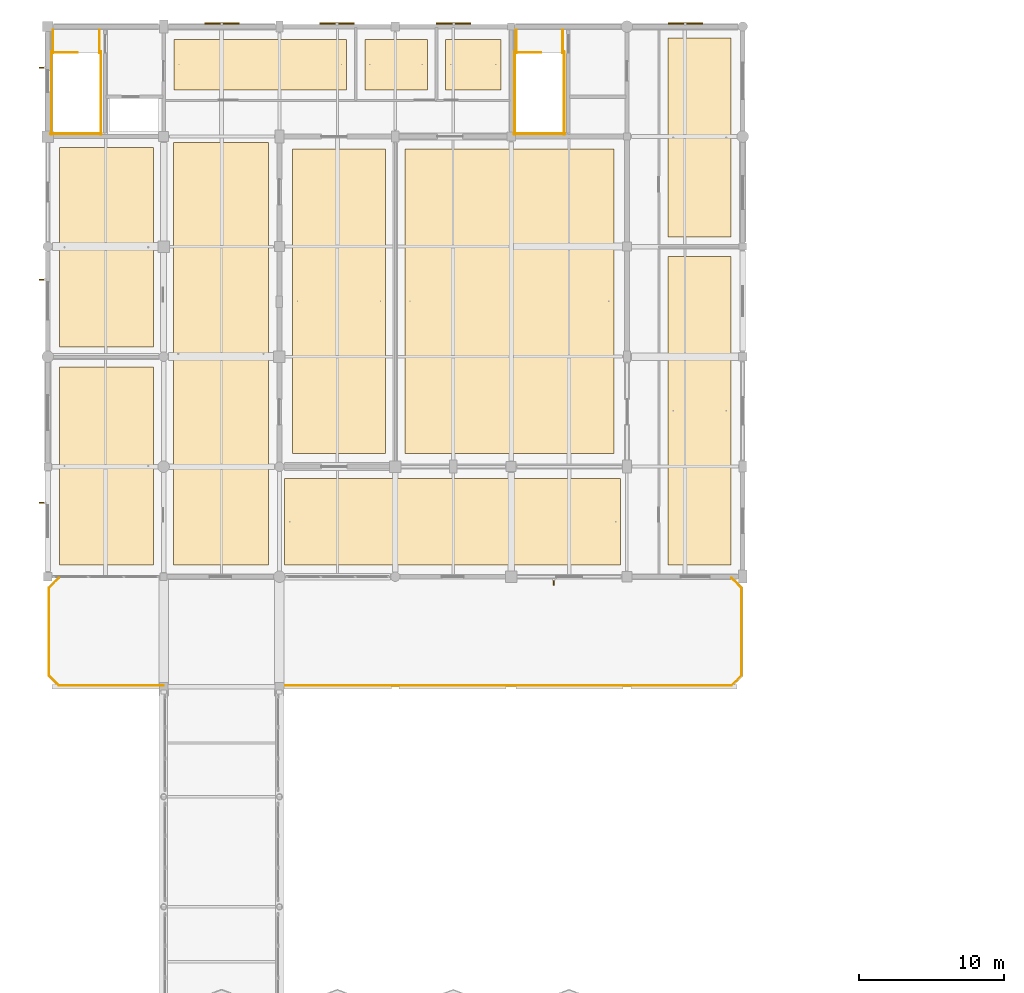
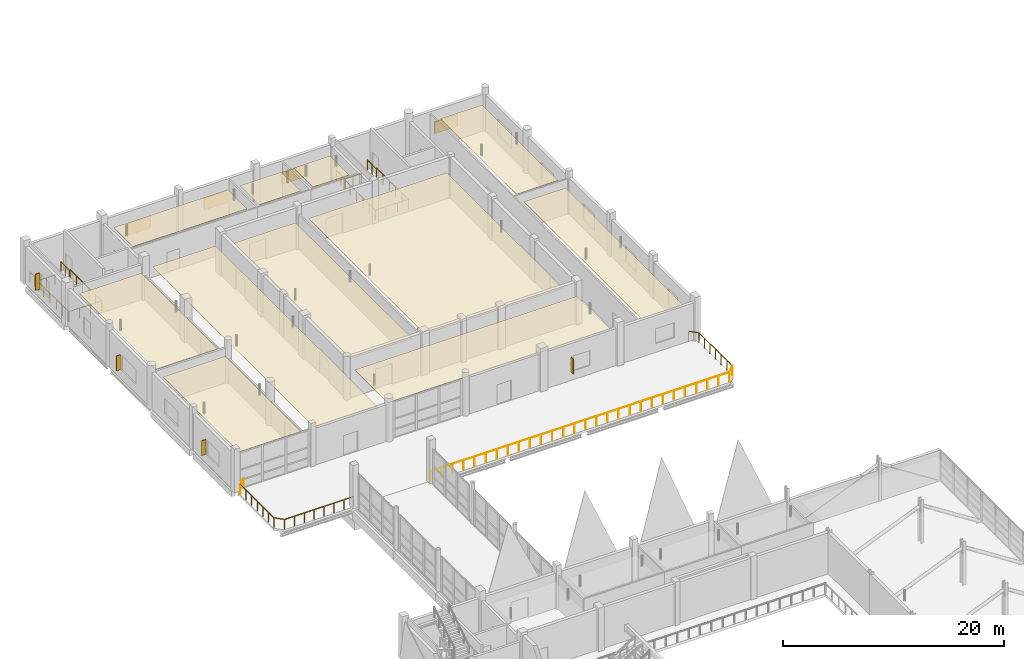
# One storey, part 135 of 141: 20 railings, 11 coverings, 8 shading devices.
"""IFC4 building model written with IfcOpenShell, lengths in metres."""

from ifc_helpers import new_model, si_unit, direction, frame, origin, origin_2d, place, context, subcontext, project, spatial, polyline, rectangle, circle, outline, extrude, material, layer, layer_set, type_object, element, save


model = new_model("IFC4")

# Units and contexts
model_context = context("Model", 3, precision=1e-05, world=origin(), true_north=direction((0.0, 1.0)))
body_context = subcontext(model_context, "Body", "Model", "MODEL_VIEW")
ifc_project = project(units=[si_unit("LENGTHUNIT", "METRE"), si_unit("AREAUNIT", "SQUARE_METRE"), si_unit("VOLUMEUNIT", "CUBIC_METRE"), si_unit("PLANEANGLEUNIT", "RADIAN"), si_unit("MASSUNIT", "GRAM", prefix="KILO")], contexts=[model_context])

# Site, building, storey
site_placement = place(None, origin())
site = spatial("IfcSite", under=ifc_project, at=site_placement, CompositionType="ELEMENT")
building_placement = place(site_placement, origin())
building = spatial("IfcBuilding", under=site, at=building_placement, Name="Khelvaren Railside Concert Hall", CompositionType="ELEMENT")
storey_placement = place(building_placement, frame((0.0, 0.0, 10.199951171875)))
storey = spatial("IfcBuildingStorey", under=building, at=storey_placement, Name="L02", CompositionType="ELEMENT", Elevation=10.199951171875)

# Railings
ifc_material_1 = material(Name="Architectural stainless steel Grade 316", Category="steel")
railing_type_1 = type_object("IfcRailingType", Name="BAL77", PredefinedType="BALUSTRADE", material=ifc_material_1)
railing_1_placement = place(storey_placement, frame((47.219970703125, 68.47998046875, 0.0)))
element("IfcRailing", 1, at=railing_1_placement, inside=storey, type_object=railing_type_1, Name="Terrace Perimeter Balustrade V4-L02-SE", PredefinedType="BALUSTRADE", context=body_context, shape_type="SweptSolid", body=[
    extrude(circle(Radius=0.02392578125, at=origin_2d()), frame((0.0, 0.0, 1.076171875), z_axis=(0.707106781187, 0.707106781187, 0.0), x_axis=(-0.707106781187, 0.707106781187, 0.0)), (0.0, 0.0, 1.0), 0.989990234375),
    extrude(circle(Radius=0.02099609375, at=origin_2d()), origin(), (0.0, 0.0, 1.0), 1.052001953125),
    extrude(circle(Radius=0.02099609375, at=origin_2d()), frame((0.699951171875, 0.699951171875, 0.0)), (0.0, 0.0, 1.0), 1.052001953125),
])
railing_2_placement = place(storey_placement, frame((47.919921875, 69.179931640625, 0.0)))
element("IfcRailing", 2, at=railing_2_placement, inside=storey, type_object=railing_type_1, Name="Terrace Perimeter Balustrade V4-L02-E", PredefinedType="BALUSTRADE", context=body_context, shape_type="SweptSolid", body=[
    extrude(circle(Radius=0.02392578125, at=origin_2d()), frame((0.0, 0.0, 1.076171875), z_axis=(0.0, 1.0, 0.0), x_axis=(-1.0, 0.0, 0.0)), (0.0, 0.0, 1.0), 6.0400390625),
    extrude(circle(Radius=0.02099609375, at=origin_2d()), origin(), (0.0, 0.0, 1.0), 1.052001953125),
    extrude(circle(Radius=0.02099609375, at=origin_2d()), frame((0.0, 1.006591796875, 0.0)), (0.0, 0.0, 1.0), 1.052001953125),
    extrude(circle(Radius=0.02099609375, at=origin_2d()), frame((0.0, 2.013427734375, 0.0)), (0.0, 0.0, 1.0), 1.052001953125),
    extrude(circle(Radius=0.02099609375, at=origin_2d()), frame((0.0, 3.02001953125, 0.0)), (0.0, 0.0, 1.0), 1.052001953125),
    extrude(circle(Radius=0.02099609375, at=origin_2d()), frame((0.0, 4.026611328125, 0.0)), (0.0, 0.0, 1.0), 1.052001953125),
    extrude(circle(Radius=0.02099609375, at=origin_2d()), frame((0.0, 5.033447265625, 0.0)), (0.0, 0.0, 1.0), 1.052001953125),
    extrude(circle(Radius=0.02099609375, at=origin_2d()), frame((0.0, 6.0400390625, 0.0)), (0.0, 0.0, 1.0), 1.052001953125),
])
railing_3_placement = place(storey_placement, frame((47.919921875, 75.219970703125, 0.0)))
element("IfcRailing", 3, at=railing_3_placement, inside=storey, type_object=railing_type_1, Name="Terrace Perimeter Balustrade V4-L02-NE", PredefinedType="BALUSTRADE", context=body_context, shape_type="SweptSolid", body=[
    extrude(circle(Radius=0.02392578125, at=origin_2d()), frame((0.0, 0.0, 1.076171875), z_axis=(-0.707106781187, 0.707106781187, 0.0), x_axis=(-0.707106781187, -0.707106781187, 0.0)), (0.0, 0.0, 1.0), 0.989990234375),
    extrude(circle(Radius=0.02099609375, at=origin_2d()), origin(), (0.0, 0.0, 1.0), 1.052001953125),
    extrude(circle(Radius=0.02099609375, at=origin_2d()), frame((-0.699951171875, 0.699951171875, 0.0)), (0.0, 0.0, 1.0), 1.052001953125),
])
railing_4_placement = place(storey_placement, frame((0.780029296875, 75.919921875, 0.0)))
element("IfcRailing", 4, at=railing_4_placement, inside=storey, type_object=railing_type_1, Name="Terrace Perimeter Balustrade V4-L02-NW", PredefinedType="BALUSTRADE", context=body_context, shape_type="SweptSolid", body=[
    extrude(circle(Radius=0.02392578125, at=origin_2d()), frame((0.0, 0.0, 1.076171875), z_axis=(-0.707106781187, -0.707106781187, 0.0), x_axis=(0.707106781187, -0.707106781187, 0.0)), (0.0, 0.0, 1.0), 0.989990234375),
    extrude(circle(Radius=0.02099609375, at=origin_2d()), origin(), (0.0, 0.0, 1.0), 1.052001953125),
    extrude(circle(Radius=0.02099609375, at=origin_2d()), frame((-0.699951171875, -0.699951171875, 0.0)), (0.0, 0.0, 1.0), 1.052001953125),
])
railing_5_placement = place(storey_placement, frame((0.080078125, 75.219970703125, 0.0)))
element("IfcRailing", 5, at=railing_5_placement, inside=storey, type_object=railing_type_1, Name="Terrace Perimeter Balustrade V4-L02-W", PredefinedType="BALUSTRADE", context=body_context, shape_type="SweptSolid", body=[
    extrude(circle(Radius=0.02392578125, at=origin_2d()), frame((0.0, 0.0, 1.076171875), z_axis=(0.0, -1.0, 0.0), x_axis=(1.0, 0.0, 0.0)), (0.0, 0.0, 1.0), 6.0400390625),
    extrude(circle(Radius=0.02099609375, at=origin_2d()), origin(), (0.0, 0.0, 1.0), 1.052001953125),
    extrude(circle(Radius=0.02099609375, at=origin_2d()), frame((0.0, -1.006591796875, 0.0)), (0.0, 0.0, 1.0), 1.052001953125),
    extrude(circle(Radius=0.02099609375, at=origin_2d()), frame((0.0, -2.013427734375, 0.0)), (0.0, 0.0, 1.0), 1.052001953125),
    extrude(circle(Radius=0.02099609375, at=origin_2d()), frame((0.0, -3.02001953125, 0.0)), (0.0, 0.0, 1.0), 1.052001953125),
    extrude(circle(Radius=0.02099609375, at=origin_2d()), frame((0.0, -4.026611328125, 0.0)), (0.0, 0.0, 1.0), 1.052001953125),
    extrude(circle(Radius=0.02099609375, at=origin_2d()), frame((0.0, -5.033447265625, 0.0)), (0.0, 0.0, 1.0), 1.052001953125),
    extrude(circle(Radius=0.02099609375, at=origin_2d()), frame((0.0, -6.0400390625, 0.0)), (0.0, 0.0, 1.0), 1.052001953125),
])
railing_6_placement = place(storey_placement, frame((0.080078125, 69.179931640625, 0.0)))
element("IfcRailing", 6, at=railing_6_placement, inside=storey, type_object=railing_type_1, Name="Terrace Perimeter Balustrade V4-L02-SW", PredefinedType="BALUSTRADE", context=body_context, shape_type="SweptSolid", body=[
    extrude(circle(Radius=0.02392578125, at=origin_2d()), frame((0.0, 0.0, 1.076171875), z_axis=(0.707106781187, -0.707106781187, 0.0), x_axis=(0.707106781187, 0.707106781187, 0.0)), (0.0, 0.0, 1.0), 0.989990234375),
    extrude(circle(Radius=0.02099609375, at=origin_2d()), origin(), (0.0, 0.0, 1.0), 1.052001953125),
    extrude(circle(Radius=0.02099609375, at=origin_2d()), frame((0.699951171875, -0.699951171875, 0.0)), (0.0, 0.0, 1.0), 1.052001953125),
])
railing_7_placement = place(storey_placement, frame((0.780029296875, 68.47998046875, 0.0)))
element("IfcRailing", 7, at=railing_7_placement, inside=storey, type_object=railing_type_1, Name="Terrace Perimeter Balustrade V4-L02-S1", PredefinedType="BALUSTRADE", context=body_context, shape_type="SweptSolid", body=[
    extrude(circle(Radius=0.02392578125, at=origin_2d()), frame((0.0, 0.0, 1.076171875), z_axis=(1.0, 0.0, 0.0), x_axis=(0.0, 1.0, 0.0)), (0.0, 0.0, 1.0), 7.219970703125),
    extrude(circle(Radius=0.02099609375, at=origin_2d()), origin(), (0.0, 0.0, 1.0), 1.052001953125),
    extrude(circle(Radius=0.02099609375, at=origin_2d()), frame((1.031494140625, 0.0, 0.0)), (0.0, 0.0, 1.0), 1.052001953125),
    extrude(circle(Radius=0.02099609375, at=origin_2d()), frame((2.062744140625, 0.0, 0.0)), (0.0, 0.0, 1.0), 1.052001953125),
    extrude(circle(Radius=0.02099609375, at=origin_2d()), frame((3.09423828125, 0.0, 0.0)), (0.0, 0.0, 1.0), 1.052001953125),
    extrude(circle(Radius=0.02099609375, at=origin_2d()), frame((4.125732421875, 0.0, 0.0)), (0.0, 0.0, 1.0), 1.052001953125),
    extrude(circle(Radius=0.02099609375, at=origin_2d()), frame((5.1572265625, 0.0, 0.0)), (0.0, 0.0, 1.0), 1.052001953125),
    extrude(circle(Radius=0.02099609375, at=origin_2d()), frame((6.1884765625, 0.0, 0.0)), (0.0, 0.0, 1.0), 1.052001953125),
    extrude(circle(Radius=0.02099609375, at=origin_2d()), frame((7.219970703125, 0.0, 0.0)), (0.0, 0.0, 1.0), 1.052001953125),
])
railing_8_placement = place(storey_placement, frame((16.0, 68.47998046875, 0.0)))
element("IfcRailing", 8, at=railing_8_placement, inside=storey, type_object=railing_type_1, Name="Terrace Perimeter Balustrade V4-L02-S2", PredefinedType="BALUSTRADE", context=body_context, shape_type="SweptSolid", body=[
    extrude(circle(Radius=0.02392578125, at=origin_2d()), frame((0.0, 0.0, 1.076171875), z_axis=(1.0, 0.0, 0.0), x_axis=(0.0, 1.0, 0.0)), (0.0, 0.0, 1.0), 31.219970703125),
    extrude(circle(Radius=0.02099609375, at=origin_2d()), origin(), (0.0, 0.0, 1.0), 1.052001953125),
    extrude(circle(Radius=0.02099609375, at=origin_2d()), frame((1.15625, 0.0, 0.0)), (0.0, 0.0, 1.0), 1.052001953125),
    extrude(circle(Radius=0.02099609375, at=origin_2d()), frame((2.3125, 0.0, 0.0)), (0.0, 0.0, 1.0), 1.052001953125),
    extrude(circle(Radius=0.02099609375, at=origin_2d()), frame((3.468994140625, 0.0, 0.0)), (0.0, 0.0, 1.0), 1.052001953125),
    extrude(circle(Radius=0.02099609375, at=origin_2d()), frame((4.625244140625, 0.0, 0.0)), (0.0, 0.0, 1.0), 1.052001953125),
    extrude(circle(Radius=0.02099609375, at=origin_2d()), frame((5.781494140625, 0.0, 0.0)), (0.0, 0.0, 1.0), 1.052001953125),
    extrude(circle(Radius=0.02099609375, at=origin_2d()), frame((6.937744140625, 0.0, 0.0)), (0.0, 0.0, 1.0), 1.052001953125),
    extrude(circle(Radius=0.02099609375, at=origin_2d()), frame((8.093994140625, 0.0, 0.0)), (0.0, 0.0, 1.0), 1.052001953125),
    extrude(circle(Radius=0.02099609375, at=origin_2d()), frame((9.250244140625, 0.0, 0.0)), (0.0, 0.0, 1.0), 1.052001953125),
    extrude(circle(Radius=0.02099609375, at=origin_2d()), frame((10.40673828125, 0.0, 0.0)), (0.0, 0.0, 1.0), 1.052001953125),
    extrude(circle(Radius=0.02099609375, at=origin_2d()), frame((11.56298828125, 0.0, 0.0)), (0.0, 0.0, 1.0), 1.052001953125),
    extrude(circle(Radius=0.02099609375, at=origin_2d()), frame((12.71923828125, 0.0, 0.0)), (0.0, 0.0, 1.0), 1.052001953125),
    extrude(circle(Radius=0.02099609375, at=origin_2d()), frame((13.87548828125, 0.0, 0.0)), (0.0, 0.0, 1.0), 1.052001953125),
    extrude(circle(Radius=0.02099609375, at=origin_2d()), frame((15.03173828125, 0.0, 0.0)), (0.0, 0.0, 1.0), 1.052001953125),
    extrude(circle(Radius=0.02099609375, at=origin_2d()), frame((16.188232421875, 0.0, 0.0)), (0.0, 0.0, 1.0), 1.052001953125),
    extrude(circle(Radius=0.02099609375, at=origin_2d()), frame((17.344482421875, 0.0, 0.0)), (0.0, 0.0, 1.0), 1.052001953125),
    extrude(circle(Radius=0.02099609375, at=origin_2d()), frame((18.500732421875, 0.0, 0.0)), (0.0, 0.0, 1.0), 1.052001953125),
    extrude(circle(Radius=0.02099609375, at=origin_2d()), frame((19.656982421875, 0.0, 0.0)), (0.0, 0.0, 1.0), 1.052001953125),
    extrude(circle(Radius=0.02099609375, at=origin_2d()), frame((20.813232421875, 0.0, 0.0)), (0.0, 0.0, 1.0), 1.052001953125),
    extrude(circle(Radius=0.02099609375, at=origin_2d()), frame((21.9697265625, 0.0, 0.0)), (0.0, 0.0, 1.0), 1.052001953125),
    extrude(circle(Radius=0.02099609375, at=origin_2d()), frame((23.1259765625, 0.0, 0.0)), (0.0, 0.0, 1.0), 1.052001953125),
    extrude(circle(Radius=0.02099609375, at=origin_2d()), frame((24.2822265625, 0.0, 0.0)), (0.0, 0.0, 1.0), 1.052001953125),
    extrude(circle(Radius=0.02099609375, at=origin_2d()), frame((25.4384765625, 0.0, 0.0)), (0.0, 0.0, 1.0), 1.052001953125),
    extrude(circle(Radius=0.02099609375, at=origin_2d()), frame((26.5947265625, 0.0, 0.0)), (0.0, 0.0, 1.0), 1.052001953125),
    extrude(circle(Radius=0.02099609375, at=origin_2d()), frame((27.7509765625, 0.0, 0.0)), (0.0, 0.0, 1.0), 1.052001953125),
    extrude(circle(Radius=0.02099609375, at=origin_2d()), frame((28.907470703125, 0.0, 0.0)), (0.0, 0.0, 1.0), 1.052001953125),
    extrude(circle(Radius=0.02099609375, at=origin_2d()), frame((30.063720703125, 0.0, 0.0)), (0.0, 0.0, 1.0), 1.052001953125),
    extrude(circle(Radius=0.02099609375, at=origin_2d()), frame((31.219970703125, 0.0, 0.0)), (0.0, 0.0, 1.0), 1.052001953125),
])

# Coverings
ifc_material_2 = material(Name="Mineral-wool acoustic baffle ceiling", Category="gypsum")
ifc_layer_1 = layer(ifc_material_2, 0.0400390625)
ifc_layer_set_1 = layer_set([ifc_layer_1], Name="Mineral-wool acoustic baffle ceiling")
covering_type_1 = type_object("IfcCoveringType", Name="CLG20", PredefinedType="CEILING", material=ifc_layer_set_1)
covering_1_placement = place(storey_placement, frame((0.0, 0.0, 3.41015625)))
element("IfcCovering", 9, at=covering_1_placement, inside=storey, type_object=covering_type_1, Name="Suspended Acoustic Ceiling Chamber Pavilion L02 West Foyer", PredefinedType="CEILING", context=body_context, shape_type="SweptSolid", body=[
    extrude(outline(polyline([(8.669921875, 76.800048828125), (15.25, 76.800048828125), (15.25, 106.0), (8.669921875, 106.0), (8.669921875, 76.800048828125)])), origin(), (0.0, 0.0, 1.0), 0.039794921875),
])
covering_2_placement = place(storey_placement, frame((0.0, 0.0, 3.41015625)))
element("IfcCovering", 10, at=covering_2_placement, inside=storey, type_object=covering_type_1, Name="Suspended Acoustic Ceiling Pavilion Public WC L02", PredefinedType="CEILING", context=body_context, shape_type="SweptSolid", body=[
    extrude(outline(polyline([(21.89794921875, 109.6298828125), (26.218017578125, 109.6298828125), (26.218017578125, 113.1201171875), (21.89794921875, 113.1201171875), (21.89794921875, 109.6298828125)])), origin(), (0.0, 0.0, 1.0), 0.039794921875),
])
covering_3_placement = place(storey_placement, frame((0.0, 0.0, 3.41015625)))
element("IfcCovering", 11, at=covering_3_placement, inside=storey, type_object=covering_type_1, Name="Suspended Acoustic Ceiling String Quartet Practice Room L02", PredefinedType="CEILING", context=body_context, shape_type="SweptSolid", body=[
    extrude(outline(polyline([(0.800048828125, 76.800048828125), (7.300048828125, 76.800048828125), (7.300048828125, 90.5), (0.800048828125, 90.5), (0.800048828125, 76.800048828125)])), origin(), (0.0, 0.0, 1.0), 0.039794921875),
])
covering_4_placement = place(storey_placement, frame((0.0, 0.0, 3.41015625)))
element("IfcCovering", 12, at=covering_4_placement, inside=storey, type_object=covering_type_1, Name="Suspended Acoustic Ceiling Harpsichord and Fortepiano Room L02", PredefinedType="CEILING", context=body_context, shape_type="SweptSolid", body=[
    extrude(outline(polyline([(42.85009765625, 76.800048828125), (47.199951171875, 76.800048828125), (47.199951171875, 98.10009765625), (42.85009765625, 98.10009765625), (42.85009765625, 76.800048828125)])), origin(), (0.0, 0.0, 1.0), 0.039794921875),
])
covering_5_placement = place(storey_placement, frame((0.0, 0.0, 3.41015625)))
element("IfcCovering", 13, at=covering_5_placement, inside=storey, type_object=covering_type_1, Name="Suspended Acoustic Ceiling Chamber L02 South Loggia Foyer", PredefinedType="CEILING", context=body_context, shape_type="SweptSolid", body=[
    extrude(outline(polyline([(16.35009765625, 76.800048828125), (39.570068359375, 76.800048828125), (39.570068359375, 82.800048828125), (16.35009765625, 82.800048828125), (16.35009765625, 76.800048828125)])), origin(), (0.0, 0.0, 1.0), 0.039794921875),
])
covering_6_placement = place(storey_placement, frame((0.0, 0.0, 3.41015625)))
element("IfcCovering", 14, at=covering_6_placement, inside=storey, type_object=covering_type_1, Name="Suspended Acoustic Ceiling Early-Music Composition Workshop", PredefinedType="CEILING", context=body_context, shape_type="SweptSolid", body=[
    extrude(outline(polyline([(24.669921875, 84.5), (39.10009765625, 84.5), (39.10009765625, 105.550048828125), (24.669921875, 105.550048828125), (24.669921875, 84.5)])), origin(), (0.0, 0.0, 1.0), 0.039794921875),
])
ifc_material_3 = material(Name="Micro-perforated timber acoustic ceiling", Category="wood")
ifc_layer_2 = layer(ifc_material_3, 0.030029296875)
ifc_layer_set_2 = layer_set([ifc_layer_2], Name="Micro-perforated timber acoustic ceiling")
covering_type_2 = type_object("IfcCoveringType", Name="CLG77", PredefinedType="CEILING", material=ifc_layer_set_2)
covering_7_placement = place(storey_placement, frame((0.0, 0.0, 3.420166015625)))
element("IfcCovering", 15, at=covering_7_placement, inside=storey, type_object=covering_type_2, Name="Suspended Acoustic Ceiling Chamber Green Room L02", PredefinedType="CEILING", context=body_context, shape_type="SweptSolid", body=[
    extrude(outline(polyline([(8.7099609375, 109.6298828125), (20.637939453125, 109.6298828125), (20.637939453125, 113.1201171875), (8.7099609375, 113.1201171875), (8.7099609375, 109.6298828125)])), origin(), (0.0, 0.0, 1.0), 0.02978515625),
])
covering_8_placement = place(storey_placement, frame((0.0, 0.0, 3.420166015625)))
element("IfcCovering", 16, at=covering_8_placement, inside=storey, type_object=covering_type_2, Name="Suspended Acoustic Ceiling Pavilion Accessible WC L02", PredefinedType="CEILING", context=body_context, shape_type="SweptSolid", body=[
    extrude(outline(polyline([(27.47802734375, 109.6298828125), (31.2900390625, 109.6298828125), (31.2900390625, 113.1201171875), (27.47802734375, 113.1201171875), (27.47802734375, 109.6298828125)])), origin(), (0.0, 0.0, 1.0), 0.02978515625),
])
covering_9_placement = place(storey_placement, frame((0.0, 0.0, 3.420166015625)))
element("IfcCovering", 17, at=covering_9_placement, inside=storey, type_object=covering_type_2, Name="Suspended Acoustic Ceiling Lute and Viol Tuning Studio L02", PredefinedType="CEILING", context=body_context, shape_type="SweptSolid", body=[
    extrude(outline(polyline([(0.800048828125, 91.85009765625), (7.300048828125, 91.85009765625), (7.300048828125, 105.64990234375), (0.800048828125, 105.64990234375), (0.800048828125, 91.85009765625)])), origin(), (0.0, 0.0, 1.0), 0.02978515625),
])
covering_10_placement = place(storey_placement, frame((0.0, 0.0, 3.420166015625)))
element("IfcCovering", 18, at=covering_10_placement, inside=storey, type_object=covering_type_2, Name="Suspended Acoustic Ceiling Early-Music Manuscript Preparation Room L02", PredefinedType="CEILING", context=body_context, shape_type="SweptSolid", body=[
    extrude(outline(polyline([(42.85009765625, 99.449951171875), (47.199951171875, 99.449951171875), (47.199951171875, 113.199951171875), (42.85009765625, 113.199951171875), (42.85009765625, 99.449951171875)])), origin(), (0.0, 0.0, 1.0), 0.02978515625),
])
covering_11_placement = place(storey_placement, frame((0.0, 0.0, 3.420166015625)))
element("IfcCovering", 19, at=covering_11_placement, inside=storey, type_object=covering_type_2, Name="Suspended Acoustic Ceiling Baroque Recital Salon", PredefinedType="CEILING", context=body_context, shape_type="SweptSolid", body=[
    extrude(outline(polyline([(16.89990234375, 84.5), (23.330078125, 84.5), (23.330078125, 105.550048828125), (16.89990234375, 105.550048828125), (16.89990234375, 84.5)])), origin(), (0.0, 0.0, 1.0), 0.02978515625),
])

# Railings
ifc_material_4 = material(Name="Painted architectural steel", Category="steel")
railing_type_2 = type_object("IfcRailingType", Name="GRD86", PredefinedType="GUARDRAIL", material=ifc_material_4)
railing_9_placement = place(storey_placement, frame((0.300048828125, 112.2099609375, 0.0)))
element("IfcRailing", 20, at=railing_9_placement, inside=storey, type_object=railing_type_2, Name="L02 ST-07 top well guard 1", PredefinedType="GUARDRAIL", context=body_context, shape_type="SweptSolid", body=[
    extrude(circle(Radius=0.02392578125, at=origin_2d()), frame((0.0, 0.0, 1.076171875), z_axis=(1.0, 0.0, 0.0), x_axis=(0.0, 1.0, 0.0)), (0.0, 0.0, 1.0), 1.760009765625),
    extrude(circle(Radius=0.02099609375, at=origin_2d()), origin(), (0.0, 0.0, 1.0), 1.052001953125),
    extrude(circle(Radius=0.02099609375, at=origin_2d()), frame((0.8798828125, 0.0, 0.0)), (0.0, 0.0, 1.0), 1.052001953125),
    extrude(circle(Radius=0.02099609375, at=origin_2d()), frame((1.760009765625, 0.0, 0.0)), (0.0, 0.0, 1.0), 1.052001953125),
])
for number, where, name in (
    (21, (0.25, 112.260009765625, 0.0), "L02 ST-07 top well guard 2"),
    (22, (3.669921875, 112.260009765625, 0.0), "L02 ST-07 top well guard 3"),
):
    element("IfcRailing", number, at=place(storey_placement, frame(where)), inside=storey, type_object=railing_type_2, Name=name, PredefinedType="GUARDRAIL", context=body_context, shape_type="SweptSolid", body=[
        extrude(circle(Radius=0.02392578125, at=origin_2d()), frame((0.0, 0.0, 1.076171875), z_axis=(0.0, -1.0, 0.0), x_axis=(1.0, 0.0, 0.0)), (0.0, 0.0, 1.0), 5.719970703125),
        extrude(circle(Radius=0.02099609375, at=origin_2d()), origin(), (0.0, 0.0, 1.0), 1.052001953125),
        extrude(circle(Radius=0.02099609375, at=origin_2d()), frame((0.0, -1.14404296875, 0.0)), (0.0, 0.0, 1.0), 1.052001953125),
        extrude(circle(Radius=0.02099609375, at=origin_2d()), frame((0.0, -2.2880859375, 0.0)), (0.0, 0.0, 1.0), 1.052001953125),
        extrude(circle(Radius=0.02099609375, at=origin_2d()), frame((0.0, -3.431884765625, 0.0)), (0.0, 0.0, 1.0), 1.052001953125),
        extrude(circle(Radius=0.02099609375, at=origin_2d()), frame((0.0, -4.575927734375, 0.0)), (0.0, 0.0, 1.0), 1.052001953125),
        extrude(circle(Radius=0.02099609375, at=origin_2d()), frame((0.0, -5.719970703125, 0.0)), (0.0, 0.0, 1.0), 1.052001953125),
    ])
railing_10_placement = place(storey_placement, frame((0.199951171875, 106.590087890625, 0.0)))
element("IfcRailing", 23, at=railing_10_placement, inside=storey, type_object=railing_type_2, Name="L02 ST-07 top well guard 4", PredefinedType="GUARDRAIL", context=body_context, shape_type="SweptSolid", body=[
    extrude(circle(Radius=0.02392578125, at=origin_2d()), frame((0.0, 0.0, 1.076171875), z_axis=(1.0, 0.0, 0.0), x_axis=(0.0, 1.0, 0.0)), (0.0, 0.0, 1.0), 3.52001953125),
    extrude(circle(Radius=0.02099609375, at=origin_2d()), origin(), (0.0, 0.0, 1.0), 1.052001953125),
    extrude(circle(Radius=0.02099609375, at=origin_2d()), frame((1.17333984375, 0.0, 0.0)), (0.0, 0.0, 1.0), 1.052001953125),
    extrude(circle(Radius=0.02099609375, at=origin_2d()), frame((2.3466796875, 0.0, 0.0)), (0.0, 0.0, 1.0), 1.052001953125),
    extrude(circle(Radius=0.02099609375, at=origin_2d()), frame((3.52001953125, 0.0, 0.0)), (0.0, 0.0, 1.0), 1.052001953125),
])
for number, where, name in (
    (24, (0.35009765625, 113.760009765625, 0.0), "L02 ST-07 top well guard 5"),
    (25, (3.570068359375, 113.760009765625, 0.0), "L02 ST-07 top well guard 6"),
):
    element("IfcRailing", number, at=place(storey_placement, frame(where)), inside=storey, type_object=railing_type_2, Name=name, PredefinedType="GUARDRAIL", context=body_context, shape_type="SweptSolid", body=[
        extrude(circle(Radius=0.02392578125, at=origin_2d()), frame((0.0, 0.0, 1.076171875), z_axis=(0.0, -1.0, 0.0), x_axis=(1.0, 0.0, 0.0)), (0.0, 0.0, 1.0), 1.60009765625),
        extrude(circle(Radius=0.02099609375, at=origin_2d()), origin(), (0.0, 0.0, 1.0), 1.052001953125),
        extrude(circle(Radius=0.02099609375, at=origin_2d()), frame((0.0, -0.800048828125, 0.0)), (0.0, 0.0, 1.0), 1.052001953125),
        extrude(circle(Radius=0.02099609375, at=origin_2d()), frame((0.0, -1.60009765625, 0.0)), (0.0, 0.0, 1.0), 1.052001953125),
    ])
railing_11_placement = place(storey_placement, frame((32.300048828125, 112.2099609375, 0.0)))
element("IfcRailing", 26, at=railing_11_placement, inside=storey, type_object=railing_type_2, Name="L02 ST-08 top well guard 1", PredefinedType="GUARDRAIL", context=body_context, shape_type="SweptSolid", body=[
    extrude(circle(Radius=0.02392578125, at=origin_2d()), frame((0.0, 0.0, 1.076171875), z_axis=(1.0, 0.0, 0.0), x_axis=(0.0, 1.0, 0.0)), (0.0, 0.0, 1.0), 1.760009765625),
    extrude(circle(Radius=0.02099609375, at=origin_2d()), origin(), (0.0, 0.0, 1.0), 1.052001953125),
    extrude(circle(Radius=0.02099609375, at=origin_2d()), frame((0.8798828125, 0.0, 0.0)), (0.0, 0.0, 1.0), 1.052001953125),
    extrude(circle(Radius=0.02099609375, at=origin_2d()), frame((1.760009765625, 0.0, 0.0)), (0.0, 0.0, 1.0), 1.052001953125),
])
for number, where, name in (
    (27, (32.25, 112.260009765625, 0.0), "L02 ST-08 top well guard 2"),
    (28, (35.669921875, 112.260009765625, 0.0), "L02 ST-08 top well guard 3"),
):
    element("IfcRailing", number, at=place(storey_placement, frame(where)), inside=storey, type_object=railing_type_2, Name=name, PredefinedType="GUARDRAIL", context=body_context, shape_type="SweptSolid", body=[
        extrude(circle(Radius=0.02392578125, at=origin_2d()), frame((0.0, 0.0, 1.076171875), z_axis=(0.0, -1.0, 0.0), x_axis=(1.0, 0.0, 0.0)), (0.0, 0.0, 1.0), 5.719970703125),
        extrude(circle(Radius=0.02099609375, at=origin_2d()), origin(), (0.0, 0.0, 1.0), 1.052001953125),
        extrude(circle(Radius=0.02099609375, at=origin_2d()), frame((0.0, -1.14404296875, 0.0)), (0.0, 0.0, 1.0), 1.052001953125),
        extrude(circle(Radius=0.02099609375, at=origin_2d()), frame((0.0, -2.2880859375, 0.0)), (0.0, 0.0, 1.0), 1.052001953125),
        extrude(circle(Radius=0.02099609375, at=origin_2d()), frame((0.0, -3.431884765625, 0.0)), (0.0, 0.0, 1.0), 1.052001953125),
        extrude(circle(Radius=0.02099609375, at=origin_2d()), frame((0.0, -4.575927734375, 0.0)), (0.0, 0.0, 1.0), 1.052001953125),
        extrude(circle(Radius=0.02099609375, at=origin_2d()), frame((0.0, -5.719970703125, 0.0)), (0.0, 0.0, 1.0), 1.052001953125),
    ])
railing_12_placement = place(storey_placement, frame((32.199951171875, 106.590087890625, 0.0)))
element("IfcRailing", 29, at=railing_12_placement, inside=storey, type_object=railing_type_2, Name="L02 ST-08 top well guard 4", PredefinedType="GUARDRAIL", context=body_context, shape_type="SweptSolid", body=[
    extrude(circle(Radius=0.02392578125, at=origin_2d()), frame((0.0, 0.0, 1.076171875), z_axis=(1.0, 0.0, 0.0), x_axis=(0.0, 1.0, 0.0)), (0.0, 0.0, 1.0), 3.52001953125),
    extrude(circle(Radius=0.02099609375, at=origin_2d()), origin(), (0.0, 0.0, 1.0), 1.052001953125),
    extrude(circle(Radius=0.02099609375, at=origin_2d()), frame((1.17333984375, 0.0, 0.0)), (0.0, 0.0, 1.0), 1.052001953125),
    extrude(circle(Radius=0.02099609375, at=origin_2d()), frame((2.3466796875, 0.0, 0.0)), (0.0, 0.0, 1.0), 1.052001953125),
    extrude(circle(Radius=0.02099609375, at=origin_2d()), frame((3.52001953125, 0.0, 0.0)), (0.0, 0.0, 1.0), 1.052001953125),
])
for number, where, name in (
    (30, (32.35009765625, 113.760009765625, 0.0), "L02 ST-08 top well guard 5"),
    (31, (35.570068359375, 113.760009765625, 0.0), "L02 ST-08 top well guard 6"),
):
    element("IfcRailing", number, at=place(storey_placement, frame(where)), inside=storey, type_object=railing_type_2, Name=name, PredefinedType="GUARDRAIL", context=body_context, shape_type="SweptSolid", body=[
        extrude(circle(Radius=0.02392578125, at=origin_2d()), frame((0.0, 0.0, 1.076171875), z_axis=(0.0, -1.0, 0.0), x_axis=(1.0, 0.0, 0.0)), (0.0, 0.0, 1.0), 1.60009765625),
        extrude(circle(Radius=0.02099609375, at=origin_2d()), origin(), (0.0, 0.0, 1.0), 1.052001953125),
        extrude(circle(Radius=0.02099609375, at=origin_2d()), frame((0.0, -0.800048828125, 0.0)), (0.0, 0.0, 1.0), 1.052001953125),
        extrude(circle(Radius=0.02099609375, at=origin_2d()), frame((0.0, -1.60009765625, 0.0)), (0.0, 0.0, 1.0), 1.052001953125),
    ])

# Shading devices
ifc_material_5 = material(Name="Anodised bronze aluminium 6063-T6", Category="aluminium")
shading_device_type_1 = type_object("IfcShadingDeviceType", Name="LVR71", PredefinedType="JALOUSIE", material=ifc_material_5)
for number, where, z_axis, x_axis, name in (
    (32, (12.02490234375, 114.215087890625, 1.2001953125), (0.0, 0.0, 1.0), (1.0, 0.0, 0.0), "Acoustic Weather Louvre EW-V4-L02-N-8"),
    (33, (19.97509765625, 114.215087890625, 1.2001953125), (0.0, 0.0, 1.0), (1.0, 0.0, 0.0), "Acoustic Weather Louvre EW-V4-L02-N-16"),
    (34, (28.02490234375, 114.215087890625, 1.2001953125), (0.0, 0.0, 1.0), (1.0, 0.0, 0.0), "Acoustic Weather Louvre EW-V4-L02-N-24"),
    (35, (44.03759765625, 114.215087890625, 1.2001953125), (0.0, 0.0, 1.0), (1.0, 0.0, 0.0), "Acoustic Weather Louvre EW-V4-L02-N-40"),
):
    element("IfcShadingDevice", number, at=place(storey_placement, frame(where, z_axis=z_axis, x_axis=x_axis)), inside=storey, type_object=shading_device_type_1, Name=name, PredefinedType="JALOUSIE", context=body_context, shape_type="SweptSolid", body=[
        extrude(rectangle(XDim=2.39990234375, YDim=0.1201171875, at=origin_2d()), origin(), (0.0, 0.0, 1.0), 1.300048828125),
    ])
shading_device_type_2 = type_object("IfcShadingDeviceType", Name="SFN18", PredefinedType="USERDEFINED", material=ifc_material_5)
for number, where, z_axis, x_axis, name in (
    (36, (34.945068359375, 75.625, 0.9501953125), (0.0, 0.0, 1.0), (-1.0, 0.0, 0.0), "Bronze Solar Shading Fin EW-V4-L02-S-32"),
    (37, (-0.375, 81.10498046875, 0.9501953125), (0.0, 0.0, 1.0), (0.0, 1.0, 0.0), "Bronze Solar Shading Fin EW-V4-L02-W-76"),
    (38, (-0.375, 96.517578125, 0.9501953125), (0.0, 0.0, 1.0), (0.0, 1.0, 0.0), "Bronze Solar Shading Fin EW-V4-L02-W-91"),
):
    element("IfcShadingDevice", number, at=place(storey_placement, frame(where, z_axis=z_axis, x_axis=x_axis)), inside=storey, type_object=shading_device_type_2, Name=name, ObjectType="SOLAR FIN", PredefinedType="USERDEFINED", context=body_context, shape_type="SweptSolid", body=[
        extrude(rectangle(XDim=0.080078125, YDim=0.449951171875, at=origin_2d()), origin(), (0.0, 0.0, 1.0), 1.64990234375),
    ])
shading_device_placement = place(storey_placement, frame((-0.375, 111.155029296875, 0.9501953125), z_axis=(0.0, 0.0, 1.0), x_axis=(0.0, 1.0, 0.0)))
element("IfcShadingDevice", 39, at=shading_device_placement, inside=storey, type_object=shading_device_type_2, Name="Bronze Solar Shading Fin EW-V4-L02-W-106", ObjectType="SOLAR FIN", PredefinedType="USERDEFINED", context=body_context, shape_type="SweptSolid", body=[
    extrude(rectangle(XDim=0.080078125, YDim=0.449951171875, at=origin_2d()), origin(), (0.0, 0.0, 1.0), 1.800048828125),
])

save(model, "model.ifc")
